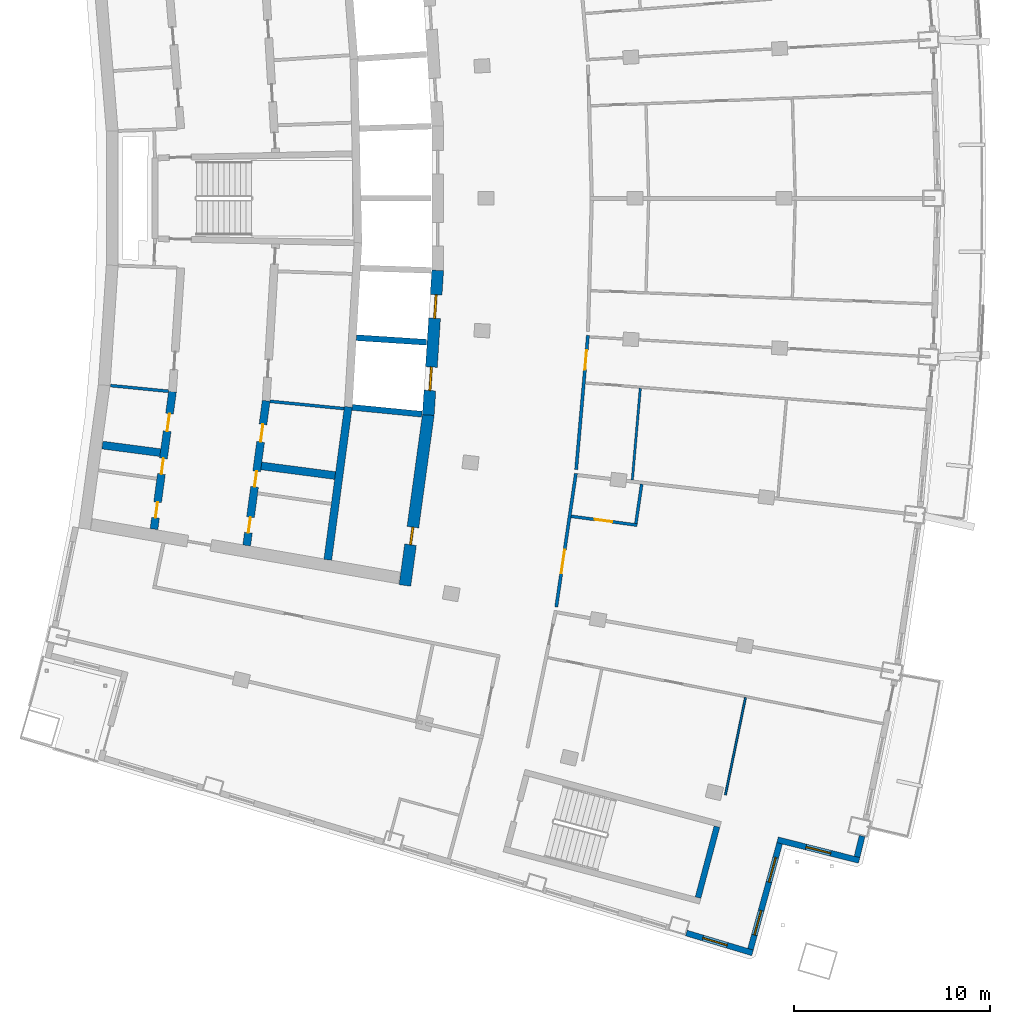
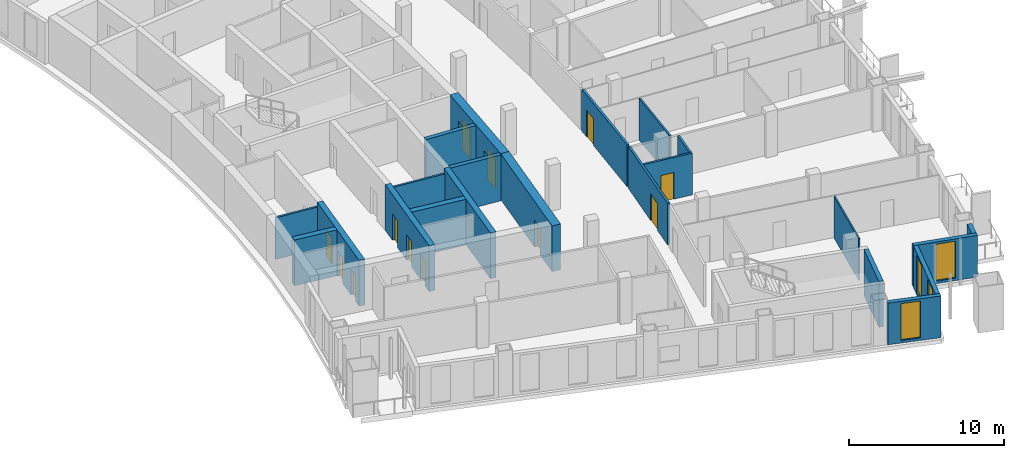
# One storey, part 10 of 19: 22 walls, 12 doors, 4 windows, 16 openings.
"""IFC4 building model written with IfcOpenShell, lengths in metres."""

from ifc_helpers import new_model, si_unit, direction, frame, frame_2d, origin, place, context, subcontext, project, spatial, rectangle, extrude, material, layer, layer_set, type_object, element, fill, save


model = new_model("IFC4")

# Units and contexts
model_context = context("Model", 3, precision=1e-05, world=origin(), true_north=direction((0.0, 1.0)))
body_context = subcontext(model_context, "Body", "Model", "MODEL_VIEW")
ifc_project = project(units=[si_unit("LENGTHUNIT", "METRE"), si_unit("AREAUNIT", "SQUARE_METRE"), si_unit("VOLUMEUNIT", "CUBIC_METRE"), si_unit("PLANEANGLEUNIT", "RADIAN"), si_unit("MASSUNIT", "GRAM", prefix="KILO")], contexts=[model_context])

# Site, building, storey
site_placement = place(None, origin())
site = spatial("IfcSite", under=ifc_project, at=site_placement, CompositionType="ELEMENT")
building_placement = place(site_placement, origin())
building = spatial("IfcBuilding", under=site, at=building_placement, Name="Alderwake Tower", CompositionType="ELEMENT")
storey_placement = place(building_placement, frame((0.0, 0.0, 192.800048828125)))
storey = spatial("IfcBuildingStorey", under=building, at=storey_placement, Name="L47", CompositionType="ELEMENT", Elevation=192.800048828125)

# Walls
ifc_material_1 = material(Name="Gypsum shaft wall system, rated")
ifc_layer_1 = layer(ifc_material_1, 0.14990234375)
ifc_layer_set_1 = layer_set([ifc_layer_1], Name="Core room partition 150")
wall_type_1 = type_object("IfcWallType", Name="Core room partition 150", PredefinedType="PARTITIONING", material=ifc_layer_set_1)
wall_1_placement = place(storey_placement, frame((16.659423828125, 51.448486328125, 0.0), z_axis=(0.0, 0.0, 1.0), x_axis=(0.995154514796, -0.098323403527, 0.0)))
element("IfcWall", 1, at=wall_1_placement, inside=storey, type_object=wall_type_1, Name="CW/L47/PR-103_+0", PredefinedType="PARTITIONING", context=body_context, shape_type="SweptSolid", body=[
    extrude(rectangle(XDim=2.9697265625, YDim=0.14990234375, at=frame_2d((1.48486328125, 0.0))), origin(), (0.0, 0.0, 1.0), 3.280029296875),
])
wall_2_placement = place(storey_placement, frame((24.789794921875, 50.64501953125, 0.0), z_axis=(0.0, 0.0, 1.0), x_axis=(0.995153039802, -0.098338331148, 0.0)))
element("IfcWall", 2, at=wall_2_placement, inside=storey, type_object=wall_type_1, Name="CW/L47/PR-103_+86", PredefinedType="PARTITIONING", context=body_context, shape_type="SweptSolid", body=[
    extrude(rectangle(XDim=3.7958984375, YDim=0.14990234375, at=frame_2d((1.89794921875, 0.0))), origin(), (0.0, 0.0, 1.0), 3.280029296875),
])

# Wall, opening, door
ifc_material_2 = material(Name="Concrete C70/85", Category="concrete")
ifc_layer_2 = layer(ifc_material_2, 0.60009765625)
ifc_layer_set_2 = layer_set([ifc_layer_2], Name="Core wall outer 600 C70-85")
wall_type_2 = type_object("IfcWallType", Name="Core wall outer 600 C70-85", PredefinedType="SHEAR", material=ifc_layer_set_2)
wall_3_placement = place(storey_placement, frame((32.862548828125, 49.967529296875, 0.0), z_axis=(0.0, 0.0, 1.0), x_axis=(-0.135856583698, -0.990728514108, 0.0)))
wall_3 = element("IfcWall", 3, at=wall_3_placement, inside=storey, type_object=wall_type_2, Name="Core wall CW.017", PredefinedType="SHEAR", context=body_context, shape_type="SweptSolid", body=[
    extrude(rectangle(XDim=8.79296875, YDim=0.60009765625, at=frame_2d((4.396484375, 0.0))), origin(), (0.0, 0.0, 1.0), 3.599853515625),
])
opening_1_placement = place(wall_3_placement, frame((5.79541015625, 0.0, 0.0)))
opening_1 = element("IfcOpeningElement", 4, at=opening_1_placement, cuts=wall_3, Name="Opening C060", PredefinedType="OPENING", context=body_context, shape_type="SweptSolid", body=[
    extrude(rectangle(XDim=0.89990234375, YDim=2.10009765625, at=frame_2d((0.449951171875, 1.050048828125))), frame((0.0, 0.31005859375, 0.0), z_axis=(0.0, -1.0, 0.0), x_axis=(1.0, 0.0, 0.0)), (0.0, 0.0, 1.0), 0.6201171875),
])
ifc_material_3 = material(Name="Painted steel leaf", Category="steel")
door_type_1 = type_object("IfcDoorType", Name="Core room door 900", OperationType="SINGLE_SWING_LEFT", PredefinedType="DOOR", material=ifc_material_3)
door_1_placement = place(opening_1_placement, origin())
door_1 = element("IfcDoor", 5, at=door_1_placement, inside=storey, type_object=door_type_1, Name="Room door", OperationType="SINGLE_SWING_RIGHT", OverallHeight=2.10009765625, OverallWidth=0.89990234375, PredefinedType="DOOR", context=body_context, shape_type="SweptSolid", body=[
    extrude(rectangle(XDim=0.89990234375, YDim=2.10009765625, at=frame_2d((0.449951171875, 1.050048828125))), frame((0.0, 0.050048828125, 0.0), z_axis=(0.0, -1.0, 0.0), x_axis=(1.0, 0.0, 0.0)), (0.0, 0.0, 1.0), 0.10009765625),
])
fill(opening_1, door_1)

# Wall, openings, doors
wall_4_placement = place(storey_placement, frame((32.860107421875, 49.9453125, 0.0), z_axis=(0.0, 0.0, 1.0), x_axis=(0.065013379938, 0.997884392317, 0.0)))
wall_4 = element("IfcWall", 6, at=wall_4_placement, inside=storey, type_object=wall_type_2, Name="Core wall CW.016", PredefinedType="SHEAR", context=body_context, shape_type="SweptSolid", body=[
    extrude(rectangle(XDim=7.39404296875, YDim=0.60009765625, at=frame_2d((3.697021484375, 0.0))), origin(), (0.0, 0.0, 1.0), 3.599853515625),
])
opening_2_placement = place(wall_4_placement, frame((1.254150390625, 0.0, 0.0)))
opening_2 = element("IfcOpeningElement", 7, at=opening_2_placement, cuts=wall_4, Name="Opening LD-HP1", PredefinedType="OPENING", context=body_context, shape_type="SweptSolid", body=[
    extrude(rectangle(XDim=1.199951171875, YDim=2.300048828125, at=frame_2d((0.60009765625, 1.14990234375))), frame((0.0, 0.31005859375, 0.0), z_axis=(0.0, -1.0, 0.0), x_axis=(1.0, 0.0, 0.0)), (0.0, 0.0, 1.0), 0.6201171875),
])
opening_3_placement = place(wall_4_placement, frame((4.941162109375, 0.0, 0.0)))
opening_3 = element("IfcOpeningElement", 8, at=opening_3_placement, cuts=wall_4, Name="Opening LD-HP2", PredefinedType="OPENING", context=body_context, shape_type="SweptSolid", body=[
    extrude(rectangle(XDim=1.199951171875, YDim=2.300048828125, at=frame_2d((0.60009765625, 1.14990234375))), frame((0.0, 0.31005859375, 0.0), z_axis=(0.0, -1.0, 0.0), x_axis=(1.0, 0.0, 0.0)), (0.0, 0.0, 1.0), 0.6201171875),
])
ifc_material_4 = material(Name="Stainless steel sliding leaf", Category="steel")
door_type_2 = type_object("IfcDoorType", Name="Lift landing door 1200", OperationType="SLIDING_TO_LEFT", PredefinedType="DOOR", material=ifc_material_4)
door_2_placement = place(opening_2_placement, origin())
door_2 = element("IfcDoor", 9, at=door_2_placement, inside=storey, type_object=door_type_2, Name="Lift landing door HP1", OperationType="SLIDING_TO_LEFT", OverallHeight=2.300048828125, OverallWidth=1.199951171875, PredefinedType="DOOR", context=body_context, shape_type="SweptSolid", body=[
    extrude(rectangle(XDim=1.199951171875, YDim=2.300048828125, at=frame_2d((0.60009765625, 1.14990234375))), frame((0.0, 0.050048828125, 0.0), z_axis=(0.0, -1.0, 0.0), x_axis=(1.0, 0.0, 0.0)), (0.0, 0.0, 1.0), 0.10009765625),
])
fill(opening_2, door_2)
door_3_placement = place(opening_3_placement, origin())
door_3 = element("IfcDoor", 10, at=door_3_placement, inside=storey, type_object=door_type_2, Name="Lift landing door HP2", OperationType="SLIDING_TO_LEFT", OverallHeight=2.300048828125, OverallWidth=1.199951171875, PredefinedType="DOOR", context=body_context, shape_type="SweptSolid", body=[
    extrude(rectangle(XDim=1.199951171875, YDim=2.300048828125, at=frame_2d((0.60009765625, 1.14990234375))), frame((0.0, 0.050048828125, 0.0), z_axis=(0.0, -1.0, 0.0), x_axis=(1.0, 0.0, 0.0)), (0.0, 0.0, 1.0), 0.10009765625),
])
fill(opening_3, door_3)

# Walls
ifc_material_5 = material(Name="Concrete C70/85", Category="concrete")
ifc_layer_3 = layer(ifc_material_5, 0.300048828125)
ifc_layer_set_3 = layer_set([ifc_layer_3], Name="Core wall shaft 300 C70-85")
wall_type_3 = type_object("IfcWallType", Name="Core wall shaft 300 C70-85", PredefinedType="SHEAR", material=ifc_layer_set_3)
wall_5_placement = place(storey_placement, frame((28.9794921875, 50.336181640625, 0.0), z_axis=(0.0, 0.0, 1.0), x_axis=(0.995246218868, -0.097390778977, 0.0)))
element("IfcWall", 11, at=wall_5_placement, inside=storey, type_object=wall_type_3, Name="Core wall CW.064", PredefinedType="SHEAR", context=body_context, shape_type="SweptSolid", body=[
    extrude(rectangle(XDim=3.56982421875, YDim=0.300048828125, at=frame_2d((1.784912109375, 0.0))), origin(), (0.0, 0.0, 1.0), 3.599853515625),
])
wall_6_placement = place(storey_placement, frame((29.190185546875, 53.8896484375, 0.0), z_axis=(0.0, 0.0, 1.0), x_axis=(0.997887207314, -0.064970158371, 0.0)))
element("IfcWall", 12, at=wall_6_placement, inside=storey, type_object=wall_type_3, Name="Core wall CW.078", PredefinedType="SHEAR", context=body_context, shape_type="SweptSolid", body=[
    extrude(rectangle(XDim=3.588623046875, YDim=0.300048828125, at=frame_2d((1.79443359375, 0.0))), origin(), (0.0, 0.0, 1.0), 3.599853515625),
])

# Wall, openings, doors
ifc_material_6 = material(Name="Concrete C70/85", Category="concrete")
ifc_layer_4 = layer(ifc_material_6, 0.39990234375)
ifc_layer_set_4 = layer_set([ifc_layer_4], Name="Core wall spine 400 C70-85")
wall_type_4 = type_object("IfcWallType", Name="Core wall spine 400 C70-85", PredefinedType="SHEAR", material=ifc_layer_set_4)
wall_7_placement = place(storey_placement, frame((19.814697265625, 51.143798828125, 0.0), z_axis=(0.0, 0.0, 1.0), x_axis=(-0.133333838703, -0.991071181831, 0.0)))
wall_7 = element("IfcWall", 13, at=wall_7_placement, inside=storey, type_object=wall_type_4, Name="Core wall CW.033", PredefinedType="SHEAR", context=body_context, shape_type="SweptSolid", body=[
    extrude(rectangle(XDim=7.078857421875, YDim=0.39990234375, at=frame_2d((3.53955078125, 0.0))), origin(), (0.0, 0.0, 1.0), 3.599853515625),
])
opening_4_placement = place(wall_7_placement, frame((5.69677734375, 0.0, 0.0)))
opening_4 = element("IfcOpeningElement", 14, at=opening_4_placement, cuts=wall_7, Name="Opening C008", PredefinedType="OPENING", context=body_context, shape_type="SweptSolid", body=[
    extrude(rectangle(XDim=0.800048828125, YDim=2.0, at=frame_2d((0.39990234375, 1.0))), frame((0.0, 0.2099609375, 0.0), z_axis=(0.0, -1.0, 0.0), x_axis=(1.0, 0.0, 0.0)), (0.0, 0.0, 1.0), 0.419921875),
])
opening_5_placement = place(wall_7_placement, frame((3.443115234375, 0.0, 0.0)))
opening_5 = element("IfcOpeningElement", 15, at=opening_5_placement, cuts=wall_7, Name="Opening C012", PredefinedType="OPENING", context=body_context, shape_type="SweptSolid", body=[
    extrude(rectangle(XDim=0.800048828125, YDim=2.0, at=frame_2d((0.39990234375, 1.0))), frame((0.0, 0.2099609375, 0.0), z_axis=(0.0, -1.0, 0.0), x_axis=(1.0, 0.0, 0.0)), (0.0, 0.0, 1.0), 0.419921875),
])
opening_6_placement = place(wall_7_placement, frame((1.13916015625, 0.0, 0.0)))
opening_6 = element("IfcOpeningElement", 16, at=opening_6_placement, cuts=wall_7, Name="Opening C039", PredefinedType="OPENING", context=body_context, shape_type="SweptSolid", body=[
    extrude(rectangle(XDim=0.89990234375, YDim=2.10009765625, at=frame_2d((0.449951171875, 1.050048828125))), frame((0.0, 0.2099609375, 0.0), z_axis=(0.0, -1.0, 0.0), x_axis=(1.0, 0.0, 0.0)), (0.0, 0.0, 1.0), 0.419921875),
])
door_4_placement = place(opening_6_placement, origin())
door_4 = element("IfcDoor", 17, at=door_4_placement, inside=storey, type_object=door_type_1, Name="Room door", OperationType="SINGLE_SWING_LEFT", OverallHeight=2.10009765625, OverallWidth=0.89990234375, PredefinedType="DOOR", context=body_context, shape_type="SweptSolid", body=[
    extrude(rectangle(XDim=0.89990234375, YDim=2.10009765625, at=frame_2d((0.449951171875, 1.050048828125))), frame((0.0, 0.02490234375, 0.0), z_axis=(0.0, -1.0, 0.0), x_axis=(1.0, 0.0, 0.0)), (0.0, 0.0, 1.0), 0.050048828125),
])
fill(opening_6, door_4)
ifc_material_7 = material(Name="Painted steel leaf, rated", Category="steel")
door_type_3 = type_object("IfcDoorType", Name="Riser access door 800", OperationType="SINGLE_SWING_LEFT", PredefinedType="DOOR", material=ifc_material_7)
door_5_placement = place(opening_4_placement, origin())
door_5 = element("IfcDoor", 18, at=door_5_placement, inside=storey, type_object=door_type_3, Name="Riser access door", OperationType="SINGLE_SWING_LEFT", OverallHeight=2.0, OverallWidth=0.800048828125, PredefinedType="DOOR", context=body_context, shape_type="SweptSolid", body=[
    extrude(rectangle(XDim=0.800048828125, YDim=2.0, at=frame_2d((0.39990234375, 1.0))), frame((0.0, 0.02490234375, 0.0), z_axis=(0.0, -1.0, 0.0), x_axis=(1.0, 0.0, 0.0)), (0.0, 0.0, 1.0), 0.050048828125),
])
fill(opening_4, door_5)
door_6_placement = place(opening_5_placement, origin())
door_6 = element("IfcDoor", 19, at=door_6_placement, inside=storey, type_object=door_type_3, Name="Riser access door", OperationType="SINGLE_SWING_RIGHT", OverallHeight=2.0, OverallWidth=0.800048828125, PredefinedType="DOOR", context=body_context, shape_type="SweptSolid", body=[
    extrude(rectangle(XDim=0.800048828125, YDim=2.0, at=frame_2d((0.39990234375, 1.0))), frame((0.0, 0.02490234375, 0.0), z_axis=(0.0, -1.0, 0.0), x_axis=(1.0, 0.0, 0.0)), (0.0, 0.0, 1.0), 0.050048828125),
])
fill(opening_5, door_6)

wall_8_placement = place(storey_placement, frame((23.597412109375, 43.29248046875, 0.0), z_axis=(0.0, 0.0, 1.0), x_axis=(0.133499326361, 0.99104890387, 0.0)))
wall_8 = element("IfcWall", 20, at=wall_8_placement, inside=storey, type_object=wall_type_4, Name="Core wall CW.047", PredefinedType="SHEAR", context=body_context, shape_type="SweptSolid", body=[
    extrude(rectangle(XDim=7.44677734375, YDim=0.39990234375, at=frame_2d((3.723388671875, 0.0))), origin(), (0.0, 0.0, 1.0), 3.599853515625),
])
opening_7_placement = place(wall_8_placement, frame((0.65771484375, 0.0, 0.0)))
opening_7 = element("IfcOpeningElement", 21, at=opening_7_placement, cuts=wall_8, Name="Opening C015", PredefinedType="OPENING", context=body_context, shape_type="SweptSolid", body=[
    extrude(rectangle(XDim=0.800048828125, YDim=2.0, at=frame_2d((0.39990234375, 1.0))), frame((0.0, 0.2099609375, 0.0), z_axis=(0.0, -1.0, 0.0), x_axis=(1.0, 0.0, 0.0)), (0.0, 0.0, 1.0), 0.419921875),
])
opening_8_placement = place(wall_8_placement, frame((3.019287109375, 0.0, 0.0)))
opening_8 = element("IfcOpeningElement", 22, at=opening_8_placement, cuts=wall_8, Name="Opening C019", PredefinedType="OPENING", context=body_context, shape_type="SweptSolid", body=[
    extrude(rectangle(XDim=0.800048828125, YDim=2.0, at=frame_2d((0.39990234375, 1.0))), frame((0.0, 0.2099609375, 0.0), z_axis=(0.0, -1.0, 0.0), x_axis=(1.0, 0.0, 0.0)), (0.0, 0.0, 1.0), 0.419921875),
])
opening_9_placement = place(wall_8_placement, frame((5.331298828125, 0.0, 0.0)))
opening_9 = element("IfcOpeningElement", 23, at=opening_9_placement, cuts=wall_8, Name="Opening C045", PredefinedType="OPENING", context=body_context, shape_type="SweptSolid", body=[
    extrude(rectangle(XDim=0.89990234375, YDim=2.10009765625, at=frame_2d((0.449951171875, 1.050048828125))), frame((0.0, 0.2099609375, 0.0), z_axis=(0.0, -1.0, 0.0), x_axis=(1.0, 0.0, 0.0)), (0.0, 0.0, 1.0), 0.419921875),
])
door_7_placement = place(opening_9_placement, origin())
door_7 = element("IfcDoor", 24, at=door_7_placement, inside=storey, type_object=door_type_1, Name="Room door", OperationType="SINGLE_SWING_LEFT", OverallHeight=2.10009765625, OverallWidth=0.89990234375, PredefinedType="DOOR", context=body_context, shape_type="SweptSolid", body=[
    extrude(rectangle(XDim=0.89990234375, YDim=2.10009765625, at=frame_2d((0.449951171875, 1.050048828125))), frame((0.0, 0.02490234375, 0.0), z_axis=(0.0, -1.0, 0.0), x_axis=(1.0, 0.0, 0.0)), (0.0, 0.0, 1.0), 0.050048828125),
])
fill(opening_9, door_7)
door_8_placement = place(opening_7_placement, origin())
door_8 = element("IfcDoor", 25, at=door_8_placement, inside=storey, type_object=door_type_3, Name="Riser access door", OperationType="SINGLE_SWING_LEFT", OverallHeight=2.0, OverallWidth=0.800048828125, PredefinedType="DOOR", context=body_context, shape_type="SweptSolid", body=[
    extrude(rectangle(XDim=0.800048828125, YDim=2.0, at=frame_2d((0.39990234375, 1.0))), frame((0.0, 0.02490234375, 0.0), z_axis=(0.0, -1.0, 0.0), x_axis=(1.0, 0.0, 0.0)), (0.0, 0.0, 1.0), 0.050048828125),
])
fill(opening_7, door_8)
door_9_placement = place(opening_8_placement, origin())
door_9 = element("IfcDoor", 26, at=door_9_placement, inside=storey, type_object=door_type_3, Name="Riser access door", OperationType="SINGLE_SWING_RIGHT", OverallHeight=2.0, OverallWidth=0.800048828125, PredefinedType="DOOR", context=body_context, shape_type="SweptSolid", body=[
    extrude(rectangle(XDim=0.800048828125, YDim=2.0, at=frame_2d((0.39990234375, 1.0))), frame((0.0, 0.02490234375, 0.0), z_axis=(0.0, -1.0, 0.0), x_axis=(1.0, 0.0, 0.0)), (0.0, 0.0, 1.0), 0.050048828125),
])
fill(opening_8, door_9)

# Walls
wall_9_placement = place(storey_placement, frame((27.7333984375, 42.56103515625, 0.0), z_axis=(0.0, 0.0, 1.0), x_axis=(0.133132598714, 0.991098234869, 0.0)))
element("IfcWall", 27, at=wall_9_placement, inside=storey, type_object=wall_type_4, Name="Core wall CW.006", PredefinedType="SHEAR", context=body_context, shape_type="SweptSolid", body=[
    extrude(rectangle(XDim=7.87255859375, YDim=0.39990234375, at=frame_2d((3.936279296875, 0.0))), origin(), (0.0, 0.0, 1.0), 3.599853515625),
])
wall_10_placement = place(storey_placement, frame((16.24169921875, 48.412353515625, 0.0), z_axis=(0.0, 0.0, 1.0), x_axis=(0.991548658387, -0.129735338481, 0.0)))
element("IfcWall", 28, at=wall_10_placement, inside=storey, type_object=wall_type_4, Name="Core wall CW.067", PredefinedType="SHEAR", context=body_context, shape_type="SweptSolid", body=[
    extrude(rectangle(XDim=2.97705078125, YDim=0.39990234375, at=frame_2d((1.488525390625, 0.0))), origin(), (0.0, 0.0, 1.0), 3.599853515625),
])
wall_11_placement = place(storey_placement, frame((24.34619140625, 47.352294921875, 0.0), z_axis=(0.0, 0.0, 1.0), x_axis=(0.991554071493, -0.129693960172, 0.0)))
element("IfcWall", 29, at=wall_11_placement, inside=storey, type_object=wall_type_4, Name="Core wall CW.069", PredefinedType="SHEAR", context=body_context, shape_type="SweptSolid", body=[
    extrude(rectangle(XDim=3.794921875, YDim=0.39990234375, at=frame_2d((1.8974609375, 0.0))), origin(), (0.0, 0.0, 1.0), 3.599853515625),
])
ifc_material_8 = material(Name="Concrete C70/85", Category="concrete")
ifc_layer_5 = layer(ifc_material_8, 0.300048828125)
ifc_layer_set_5 = layer_set([ifc_layer_5], Name="Core wall stair enclosure 300 C70-85")
wall_type_5 = type_object("IfcWallType", Name="Core wall stair enclosure 300 C70-85", PredefinedType="SHEAR", material=ifc_layer_set_5)
wall_12_placement = place(storey_placement, frame((46.6162109375, 25.334716796875, 0.0), z_axis=(0.0, 0.0, 1.0), x_axis=(0.257366821694, 0.966313778796, 0.0)))
element("IfcWall", 30, at=wall_12_placement, inside=storey, type_object=wall_type_5, Name="Core wall CW.085", PredefinedType="SHEAR", context=body_context, shape_type="SweptSolid", body=[
    extrude(rectangle(XDim=3.749755859375, YDim=0.300048828125, at=frame_2d((1.875, 0.0))), origin(), (0.0, 0.0, 1.0), 3.599853515625),
])

# Wall, opening, door
ifc_material_9 = material(Name="Gypsum board on metal studs, rated")
ifc_layer_6 = layer(ifc_material_9, 0.159912109375)
ifc_layer_set_6 = layer_set([ifc_layer_6], Name="Corridor wall 160")
wall_type_6 = type_object("IfcWallType", Name="Corridor wall 160", PredefinedType="PARTITIONING", material=ifc_layer_set_6)
wall_13_placement = place(storey_placement, frame((40.388671875, 46.97216796875, 0.0), z_axis=(0.0, 0.0, 1.0), x_axis=(-0.145535848078, -0.989352978933, 0.0)))
wall_13 = element("IfcWall", 31, at=wall_13_placement, inside=storey, type_object=wall_type_6, Name="WL/L47/W21", PredefinedType="PARTITIONING", context=body_context, shape_type="SweptSolid", body=[
    extrude(rectangle(XDim=6.884521484375, YDim=0.159912109375, at=frame_2d((3.4423828125, 0.0))), origin(), (0.0, 0.0, 1.0), 3.280029296875),
])
opening_10_placement = place(wall_13_placement, frame((3.943115234375, 0.0, 0.0)))
opening_10 = element("IfcOpeningElement", 32, at=opening_10_placement, cuts=wall_13, Name="Opening R13-AM1.1", PredefinedType="OPENING", context=body_context, shape_type="SweptSolid", body=[
    extrude(rectangle(XDim=1.199951171875, YDim=2.10009765625, at=frame_2d((0.60009765625, 1.050048828125))), frame((0.0, 0.08984375, 0.0), z_axis=(0.0, -1.0, 0.0), x_axis=(1.0, 0.0, 0.0)), (0.0, 0.0, 1.0), 0.179931640625),
])
ifc_material_10 = material(Name="Steel-framed fire door leaf", Category="steel")
door_type_4 = type_object("IfcDoorType", Name="Lobby door 1200 fire-rated", OperationType="SINGLE_SWING_LEFT", PredefinedType="DOOR", material=ifc_material_10)
door_10_placement = place(opening_10_placement, origin())
door_10 = element("IfcDoor", 33, at=door_10_placement, inside=storey, type_object=door_type_4, Name="DR/L47/AM1.1", OperationType="SINGLE_SWING_LEFT", OverallHeight=2.10009765625, OverallWidth=1.199951171875, PredefinedType="DOOR", context=body_context, shape_type="SweptSolid", body=[
    extrude(rectangle(XDim=1.199951171875, YDim=2.10009765625, at=frame_2d((0.60009765625, 1.050048828125))), frame((0.0, 0.02490234375, 0.0), z_axis=(0.0, -1.0, 0.0), x_axis=(1.0, 0.0, 0.0)), (0.0, 0.0, 1.0), 0.050048828125),
])
fill(opening_10, door_10)

wall_14_placement = place(storey_placement, frame((41.001953125, 54.013671875, 0.0), z_axis=(0.0, 0.0, 1.0), x_axis=(-0.087419573149, -0.996171580718, 0.0)))
wall_14 = element("IfcWall", 34, at=wall_14_placement, inside=storey, type_object=wall_type_6, Name="WL/L47/W23", PredefinedType="PARTITIONING", context=body_context, shape_type="SweptSolid", body=[
    extrude(rectangle(XDim=6.88134765625, YDim=0.159912109375, at=frame_2d((3.440673828125, 0.0))), origin(), (0.0, 0.0, 1.0), 3.280029296875),
])
opening_11_placement = place(wall_14_placement, frame((0.75830078125, 0.0, 0.0)))
opening_11 = element("IfcOpeningElement", 35, at=opening_11_placement, cuts=wall_14, Name="Opening R13-U04.2", PredefinedType="OPENING", context=body_context, shape_type="SweptSolid", body=[
    extrude(rectangle(XDim=1.0, YDim=2.10009765625, at=frame_2d((0.5, 1.050048828125))), frame((0.0, 0.08984375, 0.0), z_axis=(0.0, -1.0, 0.0), x_axis=(1.0, 0.0, 0.0)), (0.0, 0.0, 1.0), 0.179931640625),
])
ifc_material_11 = material(Name="Solid timber leaf in steel frame", Category="steel")
door_type_5 = type_object("IfcDoorType", Name="Flat entrance door 1000 fire-rated", OperationType="SINGLE_SWING_LEFT", PredefinedType="DOOR", material=ifc_material_11)
door_11_placement = place(opening_11_placement, origin())
door_11 = element("IfcDoor", 36, at=door_11_placement, inside=storey, type_object=door_type_5, Name="DR/L47/U04.2", OperationType="SINGLE_SWING_LEFT", OverallHeight=2.10009765625, OverallWidth=1.0, PredefinedType="DOOR", context=body_context, shape_type="SweptSolid", body=[
    extrude(rectangle(XDim=1.0, YDim=2.10009765625, at=frame_2d((0.5, 1.050048828125))), frame((0.0, 0.02490234375, 0.0), z_axis=(0.0, -1.0, 0.0), x_axis=(1.0, 0.0, 0.0)), (0.0, 0.0, 1.0), 0.050048828125),
])
fill(opening_11, door_11)

# Wall
ifc_material_12 = material(Name="Precast concrete C50/60 spandrel panel", Category="concrete")
ifc_layer_7 = layer(ifc_material_12, 0.300048828125)
ifc_layer_set_7 = layer_set([ifc_layer_7], Name="External wall EW1 Precast concrete C50/60 spandrel")
wall_type_7 = type_object("IfcWallType", Name="External wall EW1 Precast concrete C50/60 spandrel", PredefinedType="SOLIDWALL", material=ifc_layer_set_7)
wall_15_placement = place(storey_placement, frame((54.723876953125, 27.413818359375, 0.0), z_axis=(0.0, 0.0, 1.0), x_axis=(0.238229467514, 0.971208896586, 0.0)))
element("IfcWall", 37, at=wall_15_placement, inside=storey, type_object=wall_type_7, Name="External wall 11", PredefinedType="SOLIDWALL", context=body_context, shape_type="SweptSolid", body=[
    extrude(rectangle(XDim=1.094482421875, YDim=0.300048828125, at=frame_2d((0.54736328125, 0.0))), origin(), (0.0, 0.0, 1.0), 3.280029296875),
])

# Wall, opening, window
ifc_material_13 = material(Name="Bronze metal cladding on lightweight framing")
ifc_layer_8 = layer(ifc_material_13, 0.300048828125)
ifc_layer_set_8 = layer_set([ifc_layer_8], Name="External wall EW2 bronze metal cladding")
wall_type_8 = type_object("IfcWallType", Name="External wall EW2 bronze metal cladding", PredefinedType="SOLIDWALL", material=ifc_layer_set_8)
wall_16_placement = place(storey_placement, frame((46.023193359375, 23.529541015625, 0.0), z_axis=(0.0, 0.0, 1.0), x_axis=(0.957772837348, -0.287525984978, 0.0)))
wall_16 = element("IfcWall", 38, at=wall_16_placement, inside=storey, type_object=wall_type_8, Name="External wall 8", PredefinedType="SOLIDWALL", context=body_context, shape_type="SweptSolid", body=[
    extrude(rectangle(XDim=3.521240234375, YDim=0.300048828125, at=frame_2d((1.7607421875, 0.0))), origin(), (0.0, 0.0, 1.0), 3.280029296875),
])
opening_12_placement = place(wall_16_placement, frame((0.872314453125, 0.0, 0.199951171875)))
opening_12 = element("IfcOpeningElement", 39, at=opening_12_placement, cuts=wall_16, Name="Opening W1", PredefinedType="OPENING", context=body_context, shape_type="SweptSolid", body=[
    extrude(rectangle(XDim=1.300048828125, YDim=2.89990234375, at=frame_2d((0.64990234375, 1.449951171875))), frame((0.0, 0.159912109375, 0.0), z_axis=(0.0, -1.0, 0.0), x_axis=(1.0, 0.0, 0.0)), (0.0, 0.0, 1.0), 0.320068359375),
])
ifc_material_14 = material(Name="Bronze tinted glass in aluminium frame", Category="aluminium")
window_type = type_object("IfcWindowType", Name="Window W1 tall fixed and vent", PartitioningType="DOUBLE_PANEL_VERTICAL", PredefinedType="WINDOW", material=ifc_material_14)
window_1_placement = place(opening_12_placement, origin())
window_1 = element("IfcWindow", 40, at=window_1_placement, inside=storey, type_object=window_type, Name="Window W1 tall fixed and vent", OverallHeight=2.89990234375, OverallWidth=1.300048828125, PartitioningType="DOUBLE_PANEL_VERTICAL", PredefinedType="WINDOW", context=body_context, shape_type="SweptSolid", body=[
    extrude(rectangle(XDim=1.300048828125, YDim=2.89990234375, at=frame_2d((0.64990234375, 1.449951171875))), frame((0.0, 0.030029296875, 0.0), z_axis=(0.0, -1.0, 0.0), x_axis=(1.0, 0.0, 0.0)), (0.0, 0.0, 1.0), 0.06005859375),
])
fill(opening_12, window_1)

# Wall, openings, windows
wall_17_placement = place(storey_placement, frame((49.2919921875, 22.704833984375, 0.0), z_axis=(0.0, 0.0, 1.0), x_axis=(0.26510175808, 0.964220440492, 0.0)))
wall_17 = element("IfcWall", 41, at=wall_17_placement, inside=storey, type_object=wall_type_8, Name="External wall 9", PredefinedType="SOLIDWALL", context=body_context, shape_type="SweptSolid", body=[
    extrude(rectangle(XDim=5.599365234375, YDim=0.300048828125, at=frame_2d((2.7998046875, 0.0))), origin(), (0.0, 0.0, 1.0), 3.280029296875),
])
opening_13_placement = place(wall_17_placement, frame((0.749755859375, 0.0, 0.199951171875)))
opening_13 = element("IfcOpeningElement", 42, at=opening_13_placement, cuts=wall_17, Name="Opening W1", PredefinedType="OPENING", context=body_context, shape_type="SweptSolid", body=[
    extrude(rectangle(XDim=1.300048828125, YDim=2.89990234375, at=frame_2d((0.64990234375, 1.449951171875))), frame((0.0, 0.159912109375, 0.0), z_axis=(0.0, -1.0, 0.0), x_axis=(1.0, 0.0, 0.0)), (0.0, 0.0, 1.0), 0.320068359375),
])
opening_14_placement = place(wall_17_placement, frame((3.54931640625, 0.0, 0.199951171875)))
opening_14 = element("IfcOpeningElement", 43, at=opening_14_placement, cuts=wall_17, Name="Opening W1", PredefinedType="OPENING", context=body_context, shape_type="SweptSolid", body=[
    extrude(rectangle(XDim=1.300048828125, YDim=2.89990234375, at=frame_2d((0.64990234375, 1.449951171875))), frame((0.0, 0.159912109375, 0.0), z_axis=(0.0, -1.0, 0.0), x_axis=(1.0, 0.0, 0.0)), (0.0, 0.0, 1.0), 0.320068359375),
])
window_2_placement = place(opening_13_placement, origin())
window_2 = element("IfcWindow", 44, at=window_2_placement, inside=storey, type_object=window_type, Name="Window W1 tall fixed and vent", OverallHeight=2.89990234375, OverallWidth=1.300048828125, PartitioningType="DOUBLE_PANEL_VERTICAL", PredefinedType="WINDOW", context=body_context, shape_type="SweptSolid", body=[
    extrude(rectangle(XDim=1.300048828125, YDim=2.89990234375, at=frame_2d((0.64990234375, 1.449951171875))), frame((0.0, 0.030029296875, 0.0), z_axis=(0.0, -1.0, 0.0), x_axis=(1.0, 0.0, 0.0)), (0.0, 0.0, 1.0), 0.06005859375),
])
fill(opening_13, window_2)
window_3_placement = place(opening_14_placement, origin())
window_3 = element("IfcWindow", 45, at=window_3_placement, inside=storey, type_object=window_type, Name="Window W1 tall fixed and vent", OverallHeight=2.89990234375, OverallWidth=1.300048828125, PartitioningType="DOUBLE_PANEL_VERTICAL", PredefinedType="WINDOW", context=body_context, shape_type="SweptSolid", body=[
    extrude(rectangle(XDim=1.300048828125, YDim=2.89990234375, at=frame_2d((0.64990234375, 1.449951171875))), frame((0.0, 0.030029296875, 0.0), z_axis=(0.0, -1.0, 0.0), x_axis=(1.0, 0.0, 0.0)), (0.0, 0.0, 1.0), 0.06005859375),
])
fill(opening_14, window_3)

# Wall, opening, window
wall_18_placement = place(storey_placement, frame((50.670654296875, 28.28515625, 0.0), z_axis=(0.0, 0.0, 1.0), x_axis=(0.969425962264, -0.245383992325, 0.0)))
wall_18 = element("IfcWall", 46, at=wall_18_placement, inside=storey, type_object=wall_type_8, Name="External wall 10", PredefinedType="SOLIDWALL", context=body_context, shape_type="SweptSolid", body=[
    extrude(rectangle(XDim=4.294189453125, YDim=0.300048828125, at=frame_2d((2.14697265625, 0.0))), origin(), (0.0, 0.0, 1.0), 3.280029296875),
])
opening_15_placement = place(wall_18_placement, frame((1.4970703125, 0.0, 0.199951171875)))
opening_15 = element("IfcOpeningElement", 47, at=opening_15_placement, cuts=wall_18, Name="Opening W1", PredefinedType="OPENING", context=body_context, shape_type="SweptSolid", body=[
    extrude(rectangle(XDim=1.300048828125, YDim=2.89990234375, at=frame_2d((0.64990234375, 1.449951171875))), frame((0.0, 0.159912109375, 0.0), z_axis=(0.0, -1.0, 0.0), x_axis=(1.0, 0.0, 0.0)), (0.0, 0.0, 1.0), 0.320068359375),
])
window_4_placement = place(opening_15_placement, origin())
window_4 = element("IfcWindow", 48, at=window_4_placement, inside=storey, type_object=window_type, Name="Window W1 tall fixed and vent", OverallHeight=2.89990234375, OverallWidth=1.300048828125, PartitioningType="DOUBLE_PANEL_VERTICAL", PredefinedType="WINDOW", context=body_context, shape_type="SweptSolid", body=[
    extrude(rectangle(XDim=1.300048828125, YDim=2.89990234375, at=frame_2d((0.64990234375, 1.449951171875))), frame((0.0, 0.030029296875, 0.0), z_axis=(0.0, -1.0, 0.0), x_axis=(1.0, 0.0, 0.0)), (0.0, 0.0, 1.0), 0.06005859375),
])
fill(opening_15, window_4)

# Wall, opening, door
ifc_material_15 = material(Name="Gypsum shaft wall system, rated")
ifc_layer_9 = layer(ifc_material_15, 0.14990234375)
ifc_layer_set_9 = layer_set([ifc_layer_9], Name="Riser and shaft wall 150")
wall_type_9 = type_object("IfcWallType", Name="Riser and shaft wall 150", PredefinedType="PARTITIONING", material=ifc_layer_set_9)
wall_19_placement = place(storey_placement, frame((40.147216796875, 44.7822265625, 0.0), z_axis=(0.0, 0.0, 1.0), x_axis=(0.991087891329, -0.133209577962, 0.0)))
wall_19 = element("IfcWall", 49, at=wall_19_placement, inside=storey, type_object=wall_type_9, Name="WL/L47/W06", PredefinedType="PARTITIONING", context=body_context, shape_type="SweptSolid", body=[
    extrude(rectangle(XDim=3.394287109375, YDim=0.14990234375, at=frame_2d((1.697265625, 0.0))), origin(), (0.0, 0.0, 1.0), 3.280029296875),
])
opening_16_placement = place(wall_19_placement, frame((1.209228515625, 0.0, 0.0)))
opening_16 = element("IfcOpeningElement", 50, at=opening_16_placement, cuts=wall_19, Name="Opening R13-AM1.2", PredefinedType="OPENING", context=body_context, shape_type="SweptSolid", body=[
    extrude(rectangle(XDim=0.89990234375, YDim=2.10009765625, at=frame_2d((0.449951171875, 1.050048828125))), frame((0.0, 0.0849609375, 0.0), z_axis=(0.0, -1.0, 0.0), x_axis=(1.0, 0.0, 0.0)), (0.0, 0.0, 1.0), 0.169921875),
])
ifc_material_16 = material(Name="Painted timber leaf", Category="wood")
door_type_6 = type_object("IfcDoorType", Name="Room door 900", OperationType="SINGLE_SWING_LEFT", PredefinedType="DOOR", material=ifc_material_16)
door_12_placement = place(opening_16_placement, origin())
door_12 = element("IfcDoor", 51, at=door_12_placement, inside=storey, type_object=door_type_6, Name="DR/L47/AM1.2", OperationType="SINGLE_SWING_LEFT", OverallHeight=2.10009765625, OverallWidth=0.89990234375, PredefinedType="DOOR", context=body_context, shape_type="SweptSolid", body=[
    extrude(rectangle(XDim=0.89990234375, YDim=2.10009765625, at=frame_2d((0.449951171875, 1.050048828125))), frame((0.0, 0.02490234375, 0.0), z_axis=(0.0, -1.0, 0.0), x_axis=(1.0, 0.0, 0.0)), (0.0, 0.0, 1.0), 0.050048828125),
])
fill(opening_16, door_12)

# Walls
wall_20_placement = place(storey_placement, frame((43.44775390625, 44.414306640625, 0.0), z_axis=(0.0, 0.0, 1.0), x_axis=(0.144577466262, 0.989493484693, 0.0)))
element("IfcWall", 52, at=wall_20_placement, inside=storey, type_object=wall_type_9, Name="WL/L47/W07", PredefinedType="PARTITIONING", context=body_context, shape_type="SweptSolid", body=[
    extrude(rectangle(XDim=2.024658203125, YDim=0.14990234375, at=frame_2d((1.01220703125, 0.0))), origin(), (0.0, 0.0, 1.0), 3.280029296875),
])
ifc_material_17 = material(Name="Gypsum board on metal studs")
ifc_layer_10 = layer(ifc_material_17, 0.10009765625)
ifc_layer_set_10 = layer_set([ifc_layer_10], Name="Unit partition 100")
wall_type_10 = type_object("IfcWallType", Name="Unit partition 100", PredefinedType="PARTITIONING", material=ifc_layer_set_10)
wall_21_placement = place(storey_placement, frame((48.011962890625, 30.575927734375, 0.0), z_axis=(0.0, 0.0, 1.0), x_axis=(0.202312373165, 0.979321042184, 0.0)))
element("IfcWall", 53, at=wall_21_placement, inside=storey, type_object=wall_type_10, Name="WL/L47/W49", PredefinedType="PARTITIONING", context=body_context, shape_type="SweptSolid", body=[
    extrude(rectangle(XDim=5.06591796875, YDim=0.10009765625, at=frame_2d((2.532958984375, 0.0))), origin(), (0.0, 0.0, 1.0), 3.280029296875),
])
ifc_material_18 = material(Name="Moisture resistant gypsum board on metal studs")
ifc_layer_11 = layer(ifc_material_18, 0.1201171875)
ifc_layer_set_11 = layer_set([ifc_layer_11], Name="Wet room partition 120")
wall_type_11 = type_object("IfcWallType", Name="Wet room partition 120", PredefinedType="PARTITIONING", material=ifc_layer_set_11)
wall_22_placement = place(storey_placement, frame((43.263916015625, 46.6337890625, 0.0), z_axis=(0.0, 0.0, 1.0), x_axis=(0.087060499394, 0.996203026218, 0.0)))
element("IfcWall", 54, at=wall_22_placement, inside=storey, type_object=wall_type_11, Name="WL/L47/W37", PredefinedType="PARTITIONING", context=body_context, shape_type="SweptSolid", body=[
    extrude(rectangle(XDim=4.6943359375, YDim=0.1201171875, at=frame_2d((2.34716796875, 0.0))), origin(), (0.0, 0.0, 1.0), 3.280029296875),
])

save(model, "model.ifc")
